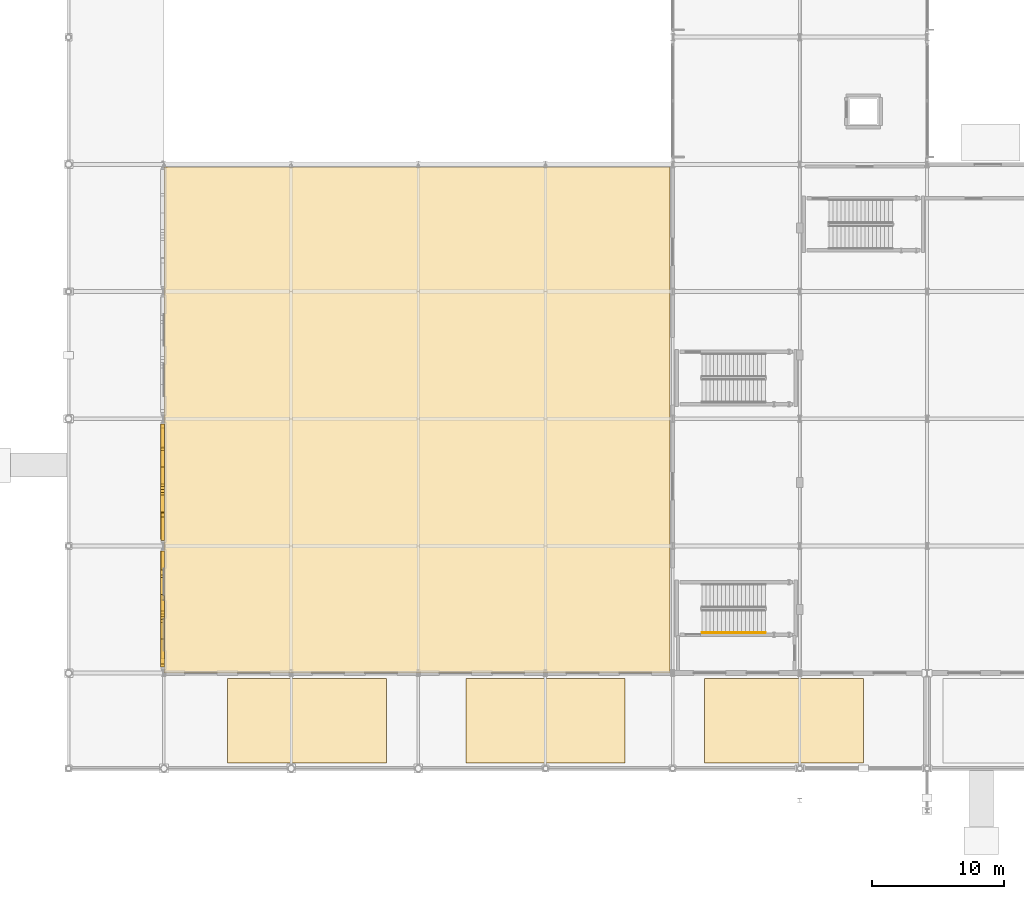
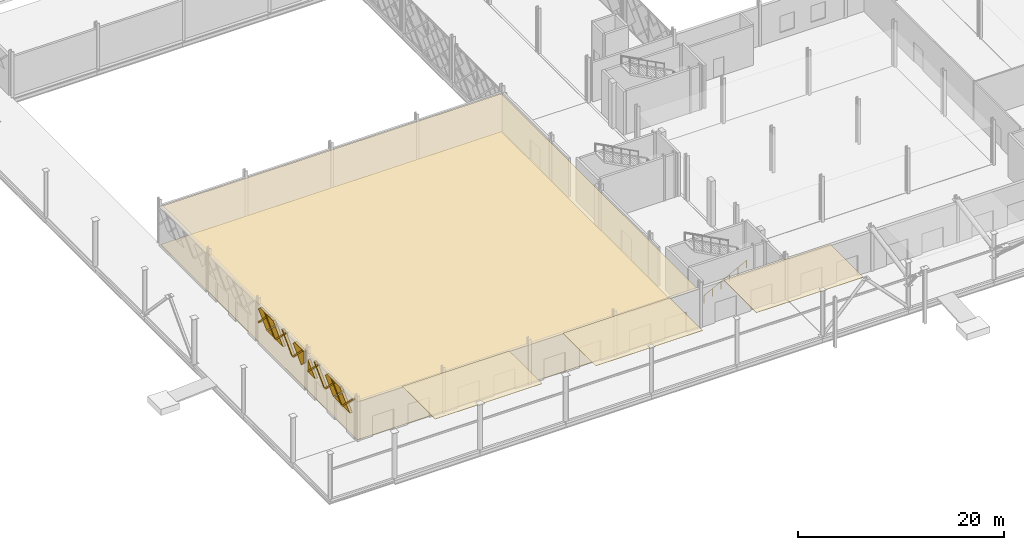
# One storey, part 63 of 84: 21 coverings, 1 railing.
"""IFC4 building model written with IfcOpenShell, lengths in metres."""

from ifc_helpers import new_model, si_unit, direction, frame, origin, origin_2d, place, context, subcontext, project, spatial, polyline, circle, outline, extrude, material, layer, layer_set, type_object, element, save


model = new_model("IFC4")

# Units and contexts
model_context = context("Model", 3, precision=1e-05, world=origin(), true_north=direction((0.0, 1.0)))
body_context = subcontext(model_context, "Body", "Model", "MODEL_VIEW")
ifc_project = project(units=[si_unit("LENGTHUNIT", "METRE"), si_unit("AREAUNIT", "SQUARE_METRE"), si_unit("VOLUMEUNIT", "CUBIC_METRE"), si_unit("PLANEANGLEUNIT", "RADIAN"), si_unit("MASSUNIT", "GRAM", prefix="KILO")], contexts=[model_context])

# Site, building, storey
site_placement = place(None, origin())
site = spatial("IfcSite", under=ifc_project, at=site_placement, CompositionType="ELEMENT")
building_placement = place(site_placement, origin())
building = spatial("IfcBuilding", under=site, at=building_placement, Name="Zevrakil Square Congress Hotel", CompositionType="ELEMENT")
storey_placement = place(building_placement, origin())
storey = spatial("IfcBuildingStorey", under=building, at=storey_placement, Name="L01", CompositionType="ELEMENT", Elevation=0.0)

# Coverings
ifc_material_1 = material(Name="Acoustic Perforated Timber Ceiling", Category="wood")
ifc_layer_1 = layer(ifc_material_1, 0.02490234375)
ifc_layer_set_1 = layer_set([ifc_layer_1], Name="Acoustic Perforated Timber Ceiling")
covering_type_1 = type_object("IfcCoveringType", Name="COV-CEIL-ACOUSTIC-025", PredefinedType="CEILING", material=ifc_layer_set_1)
covering_1_placement = place(storey_placement, frame((0.0, 0.0, 4.489990234375)))
element("IfcCovering", 1, at=covering_1_placement, inside=storey, type_object=covering_type_1, Name="L01 acoustic perforated timber ceiling 3", PredefinedType="CEILING", context=body_context, shape_type="SweptSolid", body=[
    extrude(outline(polyline([(7.199951171875, 7.199951171875), (45.39990234375, 7.199951171875), (45.39990234375, 45.39990234375), (7.199951171875, 45.39990234375), (7.199951171875, 7.199951171875)])), origin(), (0.0, 0.0, 1.0), 0.02490234375),
])
ifc_material_2 = material(Name="White Ribbed Highland GRC Cladding")
ifc_layer_2 = layer(ifc_material_2, 0.044921875)
ifc_layer_set_2 = layer_set([ifc_layer_2], Name="White Ribbed Highland GRC Cladding")
covering_type_2 = type_object("IfcCoveringType", Name="COV-CLAD-GRC-045", PredefinedType="CLADDING", material=ifc_layer_set_2)
covering_2_placement = place(storey_placement, frame((0.0, 0.0, 4.89990234375)))
element("IfcCovering", 2, at=covering_2_placement, inside=storey, type_object=covering_type_2, Name="L01 civic colonnade ribbed GRC soffit cladding 1", PredefinedType="CLADDING", context=body_context, shape_type="SweptSolid", body=[
    extrude(outline(polyline([(12.0, 0.39990234375), (24.0, 0.39990234375), (24.0, 6.800048828125), (12.0, 6.800048828125), (12.0, 0.39990234375)])), origin(), (0.0, 0.0, 1.0), 0.045166015625),
])
covering_3_placement = place(storey_placement, frame((0.0, 0.0, 4.89990234375)))
element("IfcCovering", 3, at=covering_3_placement, inside=storey, type_object=covering_type_2, Name="L01 civic colonnade ribbed GRC soffit cladding 2", PredefinedType="CLADDING", context=body_context, shape_type="SweptSolid", body=[
    extrude(outline(polyline([(30.0, 0.39990234375), (42.0, 0.39990234375), (42.0, 6.800048828125), (30.0, 6.800048828125), (30.0, 0.39990234375)])), origin(), (0.0, 0.0, 1.0), 0.045166015625),
])
covering_4_placement = place(storey_placement, frame((0.0, 0.0, 4.89990234375)))
element("IfcCovering", 4, at=covering_4_placement, inside=storey, type_object=covering_type_2, Name="L01 civic colonnade ribbed GRC soffit cladding 3", PredefinedType="CLADDING", context=body_context, shape_type="SweptSolid", body=[
    extrude(outline(polyline([(48.0, 0.39990234375), (60.0, 0.39990234375), (60.0, 6.800048828125), (48.0, 6.800048828125), (48.0, 0.39990234375)])), origin(), (0.0, 0.0, 1.0), 0.045166015625),
])
ifc_material_3 = material(Name="Architectural White Fibre-C GRC", Category="concrete")
ifc_layer_3 = layer(ifc_material_3, 0.06494140625)
ifc_layer_set_3 = layer_set([ifc_layer_3], Name="Architectural White Fibre-C GRC")
covering_type_3 = type_object("IfcCoveringType", Name="COV-DIA-WHITE", PredefinedType="CLADDING", material=ifc_layer_set_3)
covering_5_placement = place(storey_placement, frame((6.969970703125, 14.989990234375, 2.6298828125), z_axis=(-0.999999760208, 0.0, 0.00069252061), x_axis=(0.0, 1.0, 0.0)))
element("IfcCovering", 5, at=covering_5_placement, inside=storey, type_object=covering_type_3, Name="L01 45-degree white GRC diamond facade cassette 308", PredefinedType="CLADDING", context=body_context, shape_type="SweptSolid", body=[
    extrude(outline(polyline([(0.0, 0.0), (1.409912109375, 0.0), (1.409912109375, -1.4101565881448697), (0.0, 0.0)])), origin(), (0.0, 0.0, -1.0), 0.27001953125),
])
covering_6_placement = place(storey_placement, frame((6.970947265625, 9.780029296875, 4.139892578125), z_axis=(-0.999999790873, 0.0, 0.000646725815), x_axis=(-0.000457304257, -0.707106707249, -0.707106707249)))
element("IfcCovering", 6, at=covering_6_placement, inside=storey, type_object=covering_type_3, Name="L01 45-degree white GRC diamond facade cassette 309", PredefinedType="CLADDING", context=body_context, shape_type="SweptSolid", body=[
    extrude(outline(polyline([(0.0, 0.0), (2.1354765131557993, 0.0), (4.465861884739297e-07, -2.1354765131557527), (0.0, 0.0)])), origin(), (0.0, 0.0, -1.0), 0.27001953125),
])
covering_7_placement = place(storey_placement, frame((6.970947265625, 9.8701171875, 4.22998046875), z_axis=(-0.999999852381, 0.0, 0.00054335861), x_axis=(-0.000384242074, 0.707052454375, -0.707160999434)))
element("IfcCovering", 7, at=covering_7_placement, inside=storey, type_object=covering_type_3, Name="L01 45-degree white GRC diamond facade cassette 310", PredefinedType="CLADDING", context=body_context, shape_type="SweptSolid", body=[
    extrude(outline(polyline([(0.0, 0.0), (2.248551348859632, 0.0), (2.248378471249448, -2.2487239690700145), (1.8029840035601115, -2.24868981178257), (-3.4279142421073105e-05, -0.44539446767997504), (0.0, 0.0)])), origin(), (0.0, 0.0, -1.0), 0.27001953125),
])
covering_8_placement = place(storey_placement, frame((6.970947265625, 22.739990234375, 4.139892578125), z_axis=(-0.999999790873, 0.0, 0.000646725815), x_axis=(-0.000457304257, -0.707106707249, -0.707106707249)))
element("IfcCovering", 8, at=covering_8_placement, inside=storey, type_object=covering_type_3, Name="L01 45-degree white GRC diamond facade cassette 328", PredefinedType="CLADDING", context=body_context, shape_type="SweptSolid", body=[
    extrude(outline(polyline([(0.0, 0.0), (2.1354765131557993, 0.0), (4.465861884739297e-07, -2.1354765131557527), (0.0, 0.0)])), origin(), (0.0, 0.0, -1.0), 0.27001953125),
])
covering_9_placement = place(storey_placement, frame((6.970947265625, 22.830078125, 4.22998046875), z_axis=(-0.999999853145, 7.12394e-07, 0.000541949692), x_axis=(-0.000382742042, 0.707052454355, -0.707161000268)))
element("IfcCovering", 9, at=covering_9_placement, inside=storey, type_object=covering_type_3, Name="L01 45-degree white GRC diamond facade cassette 329", PredefinedType="CLADDING", context=body_context, shape_type="SweptSolid", body=[
    extrude(outline(polyline([(0.0, 0.0), (2.2485513490544555, -2.220446049250313e-16), (2.2483795577029406, -2.234568023915335), (2.2342225259593, -2.248722880536506), (1.8029840036044802, -2.2486898117982914), (-3.427904540034832e-05, -0.4453944676439675), (0.0, 0.0)])), origin(), (0.0, 0.0, -1.0), 0.27001953125),
])
covering_10_placement = place(storey_placement, frame((6.97021484375, 17.699951171875, 2.639892578125), z_axis=(-0.999999856777, -2.6416517e-05, 0.00053455357), x_axis=(0.000359307179, 0.707106744967, 0.707106726117)))
element("IfcCovering", 10, at=covering_10_placement, inside=storey, type_object=covering_type_3, Name="L01 45-degree white GRC diamond facade cassette 330", PredefinedType="CLADDING", context=body_context, shape_type="SweptSolid", body=[
    extrude(outline(polyline([(0.0, 0.0), (2.2487239782945556, 4.440892098500626e-16), (2.2487240600795424, -0.44539446987381626), (0.9935060076735642, -1.7006126499939476), (7.829672288295342e-08, -0.7071068223993595), (0.0, 0.0)])), origin(), (0.0, 0.0, -1.0), 0.27001953125),
])
ifc_material_4 = material(Name="Anodised Champagne Aluminium", Category="aluminium")
ifc_layer_4 = layer(ifc_material_4, 0.0849609375)
ifc_layer_set_4 = layer_set([ifc_layer_4], Name="Anodised Champagne Aluminium")
covering_type_4 = type_object("IfcCoveringType", Name="COV-DIAGRID-45", PredefinedType="MOLDING", material=ifc_layer_set_4)
covering_11_placement = place(storey_placement, frame((6.945068359375, 16.31396484375, 2.6298828125), z_axis=(-0.999999876977, -0.000193407177, 0.000456770142), x_axis=(-0.000193407157, 0.999999981297, 8.8343e-08)))
element("IfcCovering", 11, at=covering_11_placement, inside=storey, type_object=covering_type_4, Name="L01 45-degree aluminium diagrid rib 311", PredefinedType="MOLDING", context=body_context, shape_type="SweptSolid", body=[
    extrude(outline(polyline([(0.0, 0.0), (0.08593749839269647, 1.137373342260413e-24), (0.08593750954336479, -0.12622068995772054), (-1.7028808944388751, -1.915039420304851), (-1.9150390935958446, -1.915039420304851), (0.0, 0.0)])), origin(), (0.0, 0.0, -1.0), 0.294921875),
])
covering_12_placement = place(storey_placement, frame((6.945068359375, 12.953857421875, 2.6298828125), z_axis=(-0.999999796842, 0.0, 0.000637429753), x_axis=(0.0, 1.0, 0.0)))
element("IfcCovering", 12, at=covering_12_placement, inside=storey, type_object=covering_type_4, Name="L01 45-degree aluminium diagrid rib 312", PredefinedType="MOLDING", context=body_context, shape_type="SweptSolid", body=[
    extrude(outline(polyline([(0.0, 0.0), (0.212158203125, 0.0), (-1.70263671875, -1.9150394515562854), (-1.9150390625, -1.9150394515562854), (0.0, 0.0)])), origin(), (0.0, 0.0, -1.0), 0.294921875),
])
covering_13_placement = place(storey_placement, frame((6.945068359375, 9.593994140625, 2.6298828125), z_axis=(-0.999999796842, 0.0, 0.000637429753), x_axis=(0.0, 1.0, 0.0)))
element("IfcCovering", 13, at=covering_13_placement, inside=storey, type_object=covering_type_4, Name="L01 45-degree aluminium diagrid rib 313", PredefinedType="MOLDING", context=body_context, shape_type="SweptSolid", body=[
    extrude(outline(polyline([(0.0, 0.0), (0.212158203125, 0.0), (-1.702880859375, -1.9150394515562854), (-1.9150390625, -1.9150394515562854), (0.0, 0.0)])), origin(), (0.0, 0.0, -1.0), 0.294921875),
])
covering_14_placement = place(storey_placement, frame((6.9462890625, 15.2412109375, 4.544921875), z_axis=(-0.999999796842, 0.0, 0.000637429753), x_axis=(0.0, -1.0, 0.0)))
element("IfcCovering", 14, at=covering_14_placement, inside=storey, type_object=covering_type_4, Name="L01 45-degree aluminium diagrid rib 314", PredefinedType="MOLDING", context=body_context, shape_type="SweptSolid", body=[
    extrude(outline(polyline([(0.0, 0.0), (0.21240234375, 0.0), (2.127197265625, -1.9150394515562854), (1.9150390625, -1.9150394515562854), (0.0, 0.0)])), origin(), (0.0, 0.0, -1.0), 0.294921875),
])
covering_15_placement = place(storey_placement, frame((6.9462890625, 11.881103515625, 4.544921875), z_axis=(-0.999999796842, 0.0, 0.000637429753), x_axis=(0.0, -1.0, 0.0)))
element("IfcCovering", 15, at=covering_15_placement, inside=storey, type_object=covering_type_4, Name="L01 45-degree aluminium diagrid rib 315", PredefinedType="MOLDING", context=body_context, shape_type="SweptSolid", body=[
    extrude(outline(polyline([(0.0, 0.0), (0.212158203125, 0.0), (2.127197265625, -1.9150394515562854), (1.9150390625, -1.9150394515562854), (0.0, 0.0)])), origin(), (0.0, 0.0, -1.0), 0.294921875),
])
covering_16_placement = place(storey_placement, frame((6.945068359375, 25.913818359375, 2.6298828125), z_axis=(-0.999999876924, -0.00019318043, 0.000456981945), x_axis=(-0.00019318041, 0.999999981341, 8.828e-08)))
element("IfcCovering", 16, at=covering_16_placement, inside=storey, type_object=covering_type_4, Name="L01 45-degree aluminium diagrid rib 331", PredefinedType="MOLDING", context=body_context, shape_type="SweptSolid", body=[
    extrude(outline(polyline([(0.0, 0.0), (0.08618163901690752, 0.0), (0.08618165015966743, -0.12622068994550645), (-1.702636753736262, -1.9150394203780854), (-1.9150390935229746, -1.9150394203780854), (0.0, 0.0)])), origin(), (0.0, 0.0, -1.0), 0.294921875),
])
covering_17_placement = place(storey_placement, frame((6.945068359375, 22.553955078125, 2.6298828125), z_axis=(-0.999999796842, 0.0, 0.000637429753), x_axis=(0.0, 1.0, 0.0)))
element("IfcCovering", 17, at=covering_17_placement, inside=storey, type_object=covering_type_4, Name="L01 45-degree aluminium diagrid rib 332", PredefinedType="MOLDING", context=body_context, shape_type="SweptSolid", body=[
    extrude(outline(polyline([(0.0, 0.0), (0.212158203125, 0.0), (-1.702880859375, -1.9150394515562854), (-1.9150390625, -1.9150394515562854), (0.0, 0.0)])), origin(), (0.0, 0.0, -1.0), 0.294921875),
])
covering_18_placement = place(storey_placement, frame((6.945068359375, 19.19384765625, 2.6298828125), z_axis=(-0.999999796842, 0.0, 0.000637429753), x_axis=(0.0, 1.0, 0.0)))
element("IfcCovering", 18, at=covering_18_placement, inside=storey, type_object=covering_type_4, Name="L01 45-degree aluminium diagrid rib 333", PredefinedType="MOLDING", context=body_context, shape_type="SweptSolid", body=[
    extrude(outline(polyline([(0.0, 0.0), (0.212158203125, 0.0), (-1.70263671875, -1.9150394515562854), (-1.9150390625, -1.9150394515562854), (0.0, 0.0)])), origin(), (0.0, 0.0, -1.0), 0.294921875),
])
covering_19_placement = place(storey_placement, frame((6.9462890625, 24.841064453125, 4.544921875), z_axis=(-0.999999796842, 0.0, 0.000637429753), x_axis=(0.0, -1.0, 0.0)))
element("IfcCovering", 19, at=covering_19_placement, inside=storey, type_object=covering_type_4, Name="L01 45-degree aluminium diagrid rib 334", PredefinedType="MOLDING", context=body_context, shape_type="SweptSolid", body=[
    extrude(outline(polyline([(0.0, 0.0), (0.212158203125, 0.0), (2.127197265625, -1.9150394515562854), (1.9150390625, -1.9150394515562854), (0.0, 0.0)])), origin(), (0.0, 0.0, -1.0), 0.294921875),
])
covering_20_placement = place(storey_placement, frame((6.9462890625, 21.481201171875, 4.544921875), z_axis=(-0.999999796842, 0.0, 0.000637429753), x_axis=(0.0, -1.0, 0.0)))
element("IfcCovering", 20, at=covering_20_placement, inside=storey, type_object=covering_type_4, Name="L01 45-degree aluminium diagrid rib 335", PredefinedType="MOLDING", context=body_context, shape_type="SweptSolid", body=[
    extrude(outline(polyline([(0.0, 0.0), (0.21240234375, 0.0), (2.127197265625, -1.9150394515562854), (1.9150390625, -1.9150394515562854), (0.0, 0.0)])), origin(), (0.0, 0.0, -1.0), 0.294921875),
])
ifc_material_5 = material(Name="Honed Addis Basalt Stone Flooring", Category="masonry")
ifc_layer_5 = layer(ifc_material_5, 0.030029296875)
ifc_layer_set_5 = layer_set([ifc_layer_5], Name="Honed Addis Basalt Stone Flooring")
covering_type_5 = type_object("IfcCoveringType", Name="COV-FLOR-BASALT-030", PredefinedType="FLOORING", material=ifc_layer_set_5)
covering_21_placement = place(storey_placement, origin())
element("IfcCovering", 21, at=covering_21_placement, inside=storey, type_object=covering_type_5, Name="L01 honed basalt stone flooring 3", PredefinedType="FLOORING", context=body_context, shape_type="SweptSolid", body=[
    extrude(outline(polyline([(7.199951171875, 7.199951171875), (45.39990234375, 7.199951171875), (45.39990234375, 45.39990234375), (7.199951171875, 45.39990234375), (7.199951171875, 7.199951171875)])), origin(), (0.0, 0.0, 1.0), 0.030029296875),
])

# Railing
ifc_material_6 = material(Name="Steel S355", Category="steel")
railing_type = type_object("IfcRailingType", Name="RLG-STAIR-HAND-900", PredefinedType="HANDRAIL", material=ifc_material_6)
railing_placement = place(storey_placement, frame((47.800048828125, 10.25, 0.158935546875)))
element("IfcRailing", 22, at=railing_placement, inside=storey, type_object=railing_type, Name="L01 ST12 stair handrail 1", PredefinedType="HANDRAIL", context=body_context, shape_type="SweptSolid", body=[
    extrude(circle(Radius=0.02392578125, at=origin_2d()), frame((0.0, 0.0, 0.8759765625), z_axis=(0.883802130504, 0.0, 0.467860870469), x_axis=(0.0, 1.0, 0.0)), (0.0, 0.0, 1.0), 5.43115234375),
    extrude(circle(Radius=0.02099609375, at=origin_2d()), origin(), (0.0, 0.0, 1.0), 0.851806640625),
    extrude(circle(Radius=0.02099609375, at=origin_2d()), frame((0.9599609375, 0.0, 0.50830078125)), (0.0, 0.0, 1.0), 0.851806640625),
    extrude(circle(Radius=0.02099609375, at=origin_2d()), frame((1.919921875, 0.0, 1.016357421875)), (0.0, 0.0, 1.0), 0.851806640625),
    extrude(circle(Radius=0.02099609375, at=origin_2d()), frame((2.880126953125, 0.0, 1.524658203125)), (0.0, 0.0, 1.0), 0.851806640625),
    extrude(circle(Radius=0.02099609375, at=origin_2d()), frame((3.840087890625, 0.0, 2.03271484375)), (0.0, 0.0, 1.0), 0.851806640625),
    extrude(circle(Radius=0.02099609375, at=origin_2d()), frame((4.800048828125, 0.0, 2.541015625)), (0.0, 0.0, 1.0), 0.851806640625),
])

save(model, "model.ifc")
